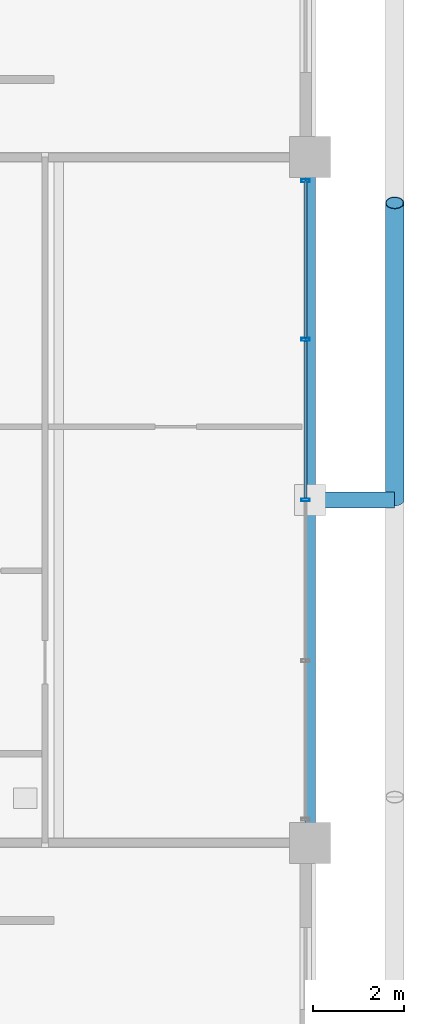
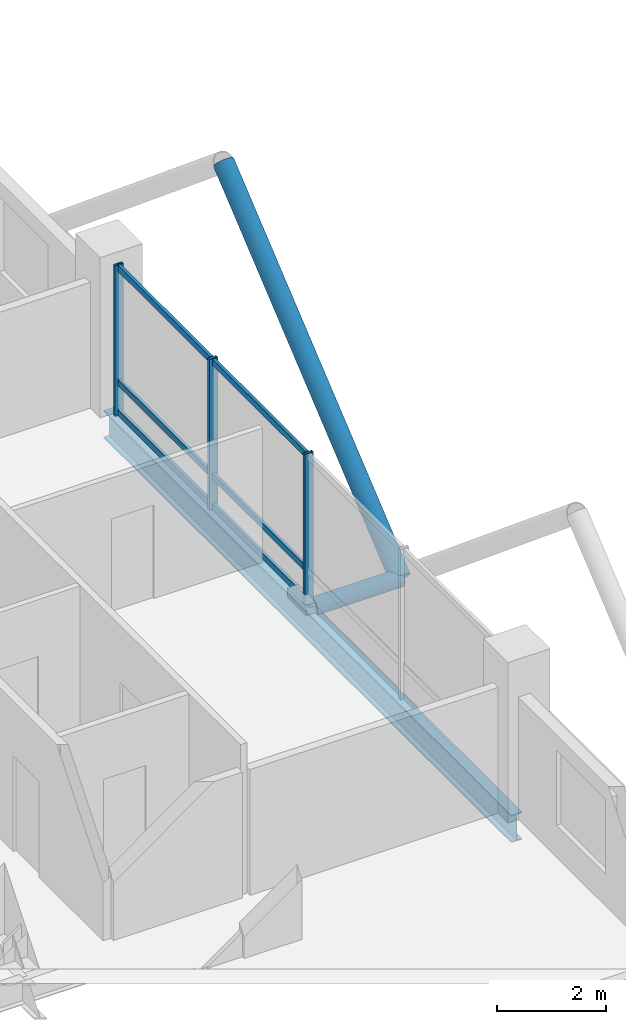
# One storey, part 13 of 24: 11 members, 1 beam, 1 element without a shape of its own.
"""IFC4 building model written with IfcOpenShell, lengths in metres."""

from ifc_helpers import new_model, si_unit, direction, frame, origin, origin_2d, place, context, subcontext, project, spatial, hollow_rectangle, hollow_circle, i_section, extrude, material, layer, layer_set, material_profile, profile_set, type_object, element, aggregate, save


model = new_model("IFC4")

# Units and contexts
model_context = context("Model", 3, precision=1e-05, world=origin(), true_north=direction((0.0, 1.0)))
body_context = subcontext(model_context, "Body", "Model", "MODEL_VIEW")
ifc_project = project(units=[si_unit("LENGTHUNIT", "METRE"), si_unit("AREAUNIT", "SQUARE_METRE"), si_unit("VOLUMEUNIT", "CUBIC_METRE"), si_unit("PLANEANGLEUNIT", "RADIAN"), si_unit("MASSUNIT", "GRAM", prefix="KILO")], contexts=[model_context])

# Site, building, storey
site_placement = place(None, origin())
site = spatial("IfcSite", under=ifc_project, at=site_placement, CompositionType="ELEMENT")
building_placement = place(site_placement, origin())
building = spatial("IfcBuilding", under=site, at=building_placement, Name="Barlavira Tower and Art Museum", CompositionType="ELEMENT")
storey_placement = place(building_placement, frame((0.0, 0.0, 294.300048828125)))
storey = spatial("IfcBuildingStorey", under=building, at=storey_placement, Name="L77", CompositionType="ELEMENT", Elevation=294.300048828125)

# Curtain wall, members
ifc_material_1 = material(Name="Low-iron coastal laminated glass", Category="glass")
ifc_layer = layer(ifc_material_1, 0.2099609375, Name="Low-iron coastal laminated glass")
ifc_layer_set = layer_set([ifc_layer], Name="Low-iron coastal laminated glass")
curtain_wall_type = type_object("IfcCurtainWallType", Name="Pale-Metal Unitised Curtain Wall Zone 4", PredefinedType="NOTDEFINED", material=ifc_layer_set)
curtain_wall_placement = place(storey_placement, origin())
curtain_wall = element("IfcCurtainWall", 1, at=curtain_wall_placement, inside=storey, type_object=curtain_wall_type, Name="L77 Curtain Wall CW4-L77-E-B3", PredefinedType="NOTDEFINED")
ifc_material_2 = material(Name="Pale anodised aluminium", Category="aluminium")
ifc_material_profile_1 = material_profile(ifc_material_2, hollow_rectangle(XDim=0.06494140625, YDim=0.179931640625, WallThickness=0.00390625, at=origin_2d()), Name="ALU-MULL 65x180x4")
ifc_profile_set_1 = profile_set([ifc_material_profile_1], Name="Pale anodised aluminium")
member_type_1 = type_object("IfcMemberType", Name="Curtain Wall Pale-Metal Mullion 65x180", PredefinedType="MULLION", material=ifc_profile_set_1)
member_1_placement = place(storey_placement, frame((16.89990234375, 0.0, 0.0), z_axis=(0.0, 0.0, 1.0), x_axis=(0.0, 1.0, 0.0)))
member_1 = element("IfcMember", 2, at=member_1_placement, type_object=member_type_1, Name="CW4-L77-E-B3 Mullion 2", PredefinedType="MULLION", context=body_context, shape_type="SweptSolid", body=[
    extrude(hollow_rectangle(XDim=0.06494140625, YDim=0.179931640625, WallThickness=0.00390625, at=origin_2d()), origin(), (0.0, 0.0, 1.0), 3.3798828125),
])
member_2_placement = place(storey_placement, frame((16.89990234375, 3.514892578125, 0.0), z_axis=(0.0, 0.0, 1.0), x_axis=(0.0, 1.0, 0.0)))
member_2 = element("IfcMember", 3, at=member_2_placement, type_object=member_type_1, Name="CW4-L77-E-B3 Mullion 3", PredefinedType="MULLION", context=body_context, shape_type="SweptSolid", body=[
    extrude(hollow_rectangle(XDim=0.06494140625, YDim=0.179931640625, WallThickness=0.00390625, at=origin_2d()), origin(), (0.0, 0.0, 1.0), 3.3798828125),
])
member_3_placement = place(storey_placement, frame((16.89990234375, 6.985107421875, 0.0), z_axis=(0.0, 0.0, 1.0), x_axis=(0.0, 1.0, 0.0)))
member_3 = element("IfcMember", 4, at=member_3_placement, type_object=member_type_1, Name="CW4-L77-E-B3 Mullion 4", PredefinedType="MULLION", context=body_context, shape_type="SweptSolid", body=[
    extrude(hollow_rectangle(XDim=0.06494140625, YDim=0.179931640625, WallThickness=0.00390625, at=origin_2d()), origin(), (0.0, 0.0, 1.0), 3.3798828125),
])
ifc_material_profile_2 = material_profile(ifc_material_2, hollow_rectangle(XDim=0.06494140625, YDim=0.139892578125, WallThickness=0.00390625, at=origin_2d()), Name="ALU-TRAN 65x140x4")
ifc_profile_set_2 = profile_set([ifc_material_profile_2], Name="Pale anodised aluminium")
member_type_2 = type_object("IfcMemberType", Name="Curtain Wall Pale-Metal Transom 65x140", PredefinedType="USERDEFINED", material=ifc_profile_set_2)
member_4_placement = place(storey_placement, frame((16.89990234375, 0.044921875, 0.070068359375), z_axis=(0.0, 1.0, 0.0), x_axis=(-1.0, 0.0, 0.0)))
member_4 = element("IfcMember", 5, at=member_4_placement, type_object=member_type_2, Name="CW4-L77-E-B3 Transom 2.1", ObjectType="TRANSOM", PredefinedType="USERDEFINED", context=body_context, shape_type="SweptSolid", body=[
    extrude(hollow_rectangle(XDim=0.06494140625, YDim=0.139892578125, WallThickness=0.00390625, at=origin_2d()), origin(), (0.0, 0.0, 1.0), 3.425048828125),
])
member_5_placement = place(storey_placement, frame((16.89990234375, 0.044921875, 0.743896484375), z_axis=(0.0, 1.0, 0.0), x_axis=(-1.0, 0.0, 0.0)))
member_5 = element("IfcMember", 6, at=member_5_placement, type_object=member_type_2, Name="CW4-L77-E-B3 Transom 2.2", ObjectType="TRANSOM", PredefinedType="USERDEFINED", context=body_context, shape_type="SweptSolid", body=[
    extrude(hollow_rectangle(XDim=0.06494140625, YDim=0.139892578125, WallThickness=0.00390625, at=origin_2d()), origin(), (0.0, 0.0, 1.0), 3.425048828125),
])
member_6_placement = place(storey_placement, frame((16.89990234375, 0.044921875, 3.31005859375), z_axis=(0.0, 1.0, 0.0), x_axis=(-1.0, 0.0, 0.0)))
member_6 = element("IfcMember", 7, at=member_6_placement, type_object=member_type_2, Name="CW4-L77-E-B3 Transom 2.3", ObjectType="TRANSOM", PredefinedType="USERDEFINED", context=body_context, shape_type="SweptSolid", body=[
    extrude(hollow_rectangle(XDim=0.06494140625, YDim=0.139892578125, WallThickness=0.00390625, at=origin_2d()), origin(), (0.0, 0.0, 1.0), 3.425048828125),
])
member_7_placement = place(storey_placement, frame((16.89990234375, 3.56005859375, 0.070068359375), z_axis=(0.0, 1.0, 0.0), x_axis=(-1.0, 0.0, 0.0)))
member_7 = element("IfcMember", 8, at=member_7_placement, type_object=member_type_2, Name="CW4-L77-E-B3 Transom 3.1", ObjectType="TRANSOM", PredefinedType="USERDEFINED", context=body_context, shape_type="SweptSolid", body=[
    extrude(hollow_rectangle(XDim=0.06494140625, YDim=0.139892578125, WallThickness=0.00390625, at=origin_2d()), origin(), (0.0, 0.0, 1.0), 3.425048828125),
])
member_8_placement = place(storey_placement, frame((16.89990234375, 3.56005859375, 0.743896484375), z_axis=(0.0, 1.0, 0.0), x_axis=(-1.0, 0.0, 0.0)))
member_8 = element("IfcMember", 9, at=member_8_placement, type_object=member_type_2, Name="CW4-L77-E-B3 Transom 3.2", ObjectType="TRANSOM", PredefinedType="USERDEFINED", context=body_context, shape_type="SweptSolid", body=[
    extrude(hollow_rectangle(XDim=0.06494140625, YDim=0.139892578125, WallThickness=0.00390625, at=origin_2d()), origin(), (0.0, 0.0, 1.0), 3.425048828125),
])
member_9_placement = place(storey_placement, frame((16.89990234375, 3.56005859375, 3.31005859375), z_axis=(0.0, 1.0, 0.0), x_axis=(-1.0, 0.0, 0.0)))
member_9 = element("IfcMember", 10, at=member_9_placement, type_object=member_type_2, Name="CW4-L77-E-B3 Transom 3.3", ObjectType="TRANSOM", PredefinedType="USERDEFINED", context=body_context, shape_type="SweptSolid", body=[
    extrude(hollow_rectangle(XDim=0.06494140625, YDim=0.139892578125, WallThickness=0.00390625, at=origin_2d()), origin(), (0.0, 0.0, 1.0), 3.425048828125),
])
aggregate(curtain_wall, [member_1, member_2, member_3, member_4, member_5, member_6, member_7, member_8, member_9])

# Members
ifc_material_3 = material(Name="Steel S355", Category="steel")
ifc_material_profile_3 = material_profile(ifc_material_3, hollow_circle(Radius=0.203125, WallThickness=0.01611328125, at=origin_2d()), Name="CHS 406.4x16.0")
ifc_profile_set_3 = profile_set([ifc_material_profile_3], Name="Steel S355")
member_type_3 = type_object("IfcMemberType", Name="Pale-Metal Exoskeleton Diagrid Tube CHS 406x16 Steel S355", PredefinedType="BRACE", material=ifc_profile_set_3)
member_10_placement = place(storey_placement, frame((18.85009765625, 0.0, -0.1201171875), z_axis=(0.0, 0.76918185268, 0.639029950399), x_axis=(-1.0, 0.0, 0.0)))
element("IfcMember", 11, at=member_10_placement, inside=storey, type_object=member_type_3, Name="L77 Exoskeleton Diagrid Tube E", PredefinedType="BRACE", context=body_context, shape_type="SweptSolid", body=[
    extrude(hollow_circle(Radius=0.203125, WallThickness=0.01611328125, at=origin_2d()), origin(), (0.0, 0.0, 1.0), 8.450439453125),
])
ifc_material_profile_4 = material_profile(ifc_material_3, hollow_circle(Radius=0.177734375, WallThickness=0.01611328125, at=origin_2d()), Name="CHS 355.6x16.0")
ifc_profile_set_4 = profile_set([ifc_material_profile_4], Name="Steel S355")
member_type_4 = type_object("IfcMemberType", Name="Pale-Metal Exoskeleton Tie Strut CHS 356x16 Steel S355", PredefinedType="STRUT", material=ifc_profile_set_4)
member_11_placement = place(storey_placement, frame((18.85009765625, 0.0, -0.1201171875), z_axis=(-1.0, 0.0, 0.0), x_axis=(0.0, -1.0, 0.0)))
element("IfcMember", 12, at=member_11_placement, inside=storey, type_object=member_type_4, Name="L77 Exoskeleton Tie Strut E2", PredefinedType="STRUT", context=body_context, shape_type="SweptSolid", body=[
    extrude(hollow_circle(Radius=0.177734375, WallThickness=0.01611328125, at=origin_2d()), origin(), (0.0, 0.0, 1.0), 1.85009765625),
])

# Beam
ifc_material_profile_5 = material_profile(ifc_material_3, i_section(OverallWidth=0.22998046875, OverallDepth=0.616943359375, WebThickness=0.01318359375, FlangeThickness=0.022216796875, at=origin_2d()), Name="W610x140.0")
ifc_profile_set_5 = profile_set([ifc_material_profile_5], Name="Steel S355")
beam_type = type_object("IfcBeamType", Name="Upper Shaft Spandrel Edge Beam W610x140 Steel S355", PredefinedType="SPANDREL", material=ifc_profile_set_5)
beam_placement = place(storey_placement, frame((17.0, -7.5, -0.528564453125), z_axis=(0.0, 1.0, 0.0), x_axis=(-1.0, 0.0, 0.0)))
element("IfcBeam", 13, at=beam_placement, inside=storey, type_object=beam_type, Name="L77 Spandrel 6", PredefinedType="SPANDREL", context=body_context, shape_type="SweptSolid", body=[
    extrude(i_section(OverallWidth=0.22998046875, OverallDepth=0.616943359375, WebThickness=0.01318359375, FlangeThickness=0.022216796875, at=origin_2d()), origin(), (0.0, 0.0, 1.0), 15.0),
])

save(model, "model.ifc")
